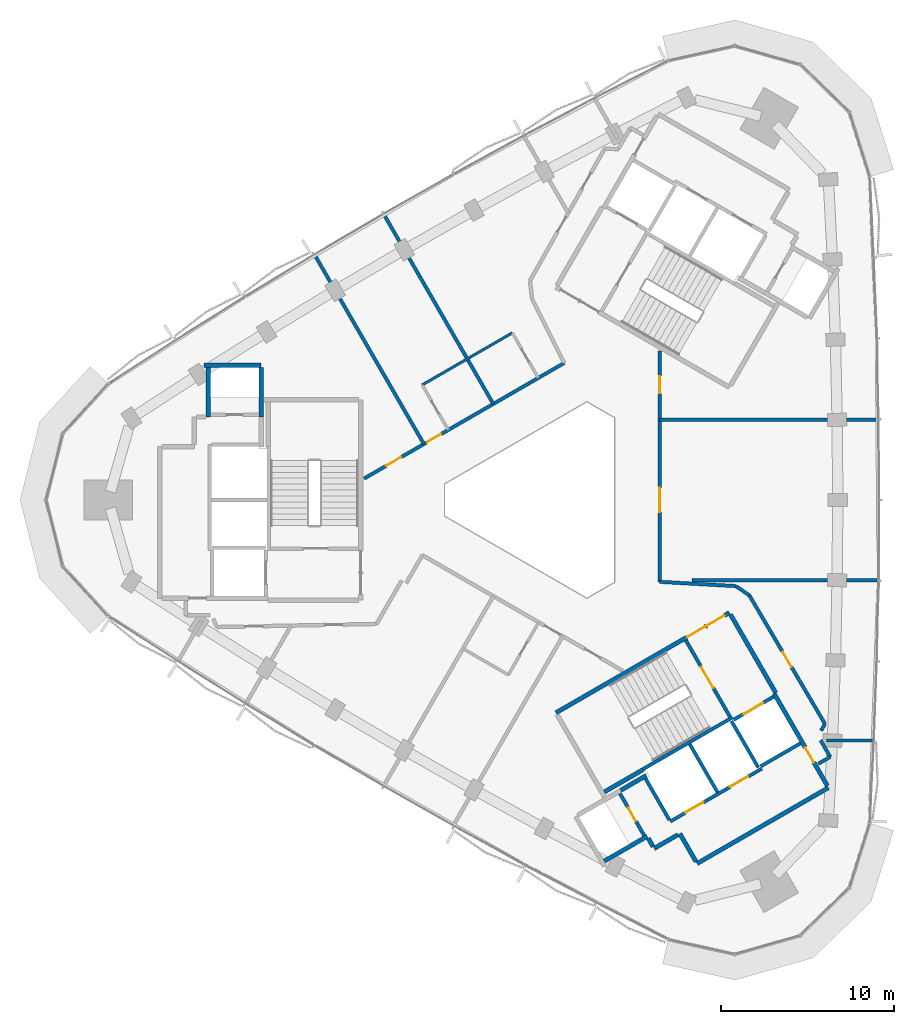
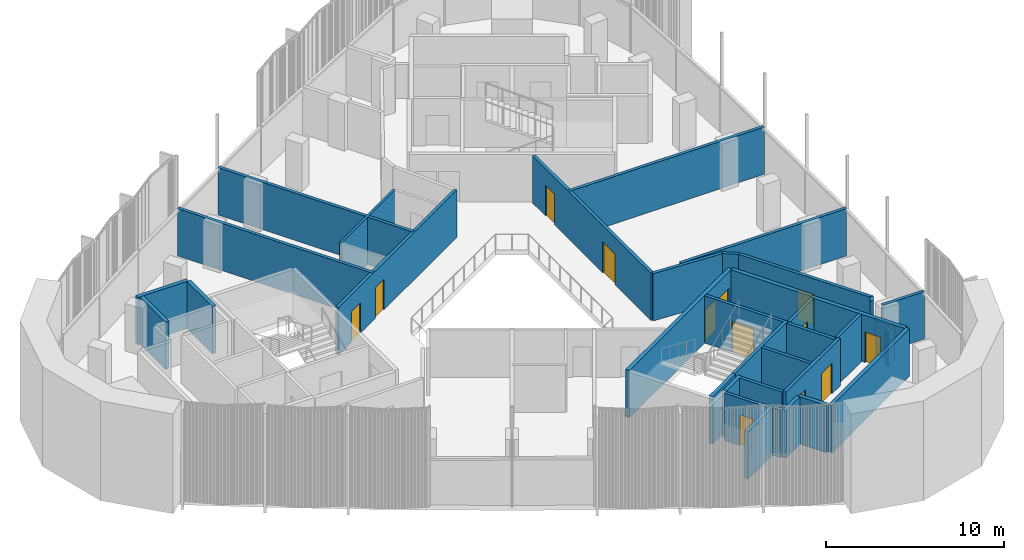
# One storey, part 9 of 16: 36 walls, 13 doors, 13 openings.
"""IFC4 building model written with IfcOpenShell, lengths in metres."""

from ifc_helpers import new_model, si_unit, direction, frame, frame_2d, origin, place, context, subcontext, project, spatial, rectangle, extrude, material, layer, layer_set, type_object, element, fill, save


model = new_model("IFC4")

# Units and contexts
model_context = context("Model", 3, precision=1e-05, world=origin(), true_north=direction((0.0, 1.0)))
body_context = subcontext(model_context, "Body", "Model", "MODEL_VIEW")
ifc_project = project(units=[si_unit("LENGTHUNIT", "METRE"), si_unit("AREAUNIT", "SQUARE_METRE"), si_unit("VOLUMEUNIT", "CUBIC_METRE"), si_unit("PLANEANGLEUNIT", "RADIAN"), si_unit("MASSUNIT", "GRAM", prefix="KILO")], contexts=[model_context])

# Site, building, storey
site_placement = place(None, origin())
site = spatial("IfcSite", under=ifc_project, at=site_placement, CompositionType="ELEMENT")
building_placement = place(site_placement, origin())
building = spatial("IfcBuilding", under=site, at=building_placement, Name="Tamra Quay Hotel Tower", CompositionType="ELEMENT")
storey_placement = place(building_placement, frame((0.0, 0.0, 243.0)))
storey = spatial("IfcBuildingStorey", under=building, at=storey_placement, Name="L61", CompositionType="ELEMENT", Elevation=243.0)

# Wall
ifc_material_1 = material(Name="Concrete M70", Category="concrete")
ifc_layer_1 = layer(ifc_material_1, 0.199951171875)
ifc_layer_set_1 = layer_set([ifc_layer_1], Name="Concrete M70 core wall 200")
wall_type_1 = type_object("IfcWallType", Name="Concrete M70 core wall 200", PredefinedType="SHEAR", material=ifc_layer_set_1)
wall_1_placement = place(storey_placement, frame((5.4189453125, -15.533935546875, 0.0), z_axis=(0.0, 0.0, 1.0), x_axis=(0.866029065029, 0.499993658486, 0.0)))
element("IfcWall", 1, at=wall_1_placement, inside=storey, type_object=wall_type_1, Name="CW2", PredefinedType="SHEAR", context=body_context, shape_type="SweptSolid", body=[
    extrude(rectangle(XDim=5.97412109375, YDim=0.199951171875, at=frame_2d((2.987060546875, 0.0))), origin(), (0.0, 0.0, 1.0), 3.25),
])

# Wall, openings, doors
wall_2_placement = place(storey_placement, frame((7.009765625, -18.54150390625, 0.0), z_axis=(0.0, 0.0, 1.0), x_axis=(0.866030299012, 0.499991521122, 0.0)))
wall_2 = element("IfcWall", 2, at=wall_2_placement, inside=storey, type_object=wall_type_1, Name="CW2", PredefinedType="SHEAR", context=body_context, shape_type="SweptSolid", body=[
    extrude(rectangle(XDim=6.10009765625, YDim=0.199951171875, at=frame_2d((3.050048828125, 0.0))), origin(), (0.0, 0.0, 1.0), 3.25),
])
opening_1_placement = place(wall_2_placement, frame((1.0, 0.0, 0.0)))
opening_1 = element("IfcOpeningElement", 3, at=opening_1_placement, cuts=wall_2, Name="Opening LD", PredefinedType="OPENING", context=body_context, shape_type="SweptSolid", body=[
    extrude(rectangle(XDim=1.199951171875, YDim=2.10009765625, at=frame_2d((0.60009765625, 1.050048828125))), frame((0.0, 0.10986328125, 0.0), z_axis=(0.0, -1.0, 0.0), x_axis=(1.0, 0.0, 0.0)), (0.0, 0.0, 1.0), 0.219970703125),
])
opening_2_placement = place(wall_2_placement, frame((3.982177734375, 0.0, 0.0)))
opening_2 = element("IfcOpeningElement", 4, at=opening_2_placement, cuts=wall_2, Name="Opening LD", PredefinedType="OPENING", context=body_context, shape_type="SweptSolid", body=[
    extrude(rectangle(XDim=1.199951171875, YDim=2.10009765625, at=frame_2d((0.60009765625, 1.050048828125))), frame((0.0, 0.10986328125, 0.0), z_axis=(0.0, -1.0, 0.0), x_axis=(1.0, 0.0, 0.0)), (0.0, 0.0, 1.0), 0.219970703125),
])
ifc_material_2 = material(Name="Landing door LD 1200 double door sliding")
door_type_1 = type_object("IfcDoorType", Name="Landing door LD 1200 double door sliding", OperationType="DOUBLE_DOOR_SLIDING", PredefinedType="DOOR", material=ifc_material_2)
door_1_placement = place(opening_1_placement, origin())
door_1 = element("IfcDoor", 5, at=door_1_placement, inside=storey, type_object=door_type_1, Name="LD", OperationType="DOUBLE_DOOR_SLIDING", OverallHeight=2.10009765625, OverallWidth=1.199951171875, PredefinedType="DOOR", context=body_context, shape_type="SweptSolid", body=[
    extrude(rectangle(XDim=1.199951171875, YDim=2.10009765625, at=frame_2d((0.60009765625, 1.050048828125))), frame((0.0, 0.02490234375, 0.0), z_axis=(0.0, -1.0, 0.0), x_axis=(1.0, 0.0, 0.0)), (0.0, 0.0, 1.0), 0.050048828125),
])
fill(opening_1, door_1)
door_2_placement = place(opening_2_placement, origin())
door_2 = element("IfcDoor", 6, at=door_2_placement, inside=storey, type_object=door_type_1, Name="LD", OperationType="DOUBLE_DOOR_SLIDING", OverallHeight=2.10009765625, OverallWidth=1.199951171875, PredefinedType="DOOR", context=body_context, shape_type="SweptSolid", body=[
    extrude(rectangle(XDim=1.199951171875, YDim=2.10009765625, at=frame_2d((0.60009765625, 1.050048828125))), frame((0.0, 0.02490234375, 0.0), z_axis=(0.0, -1.0, 0.0), x_axis=(1.0, 0.0, 0.0)), (0.0, 0.0, 1.0), 0.050048828125),
])
fill(opening_2, door_2)

# Wall, opening, door
wall_3_placement = place(storey_placement, frame((7.906494140625, -8.094482421875, 0.0), z_axis=(0.0, 0.0, 1.0), x_axis=(0.500027839223, -0.866009330205, 0.0)))
wall_3 = element("IfcWall", 7, at=wall_3_placement, inside=storey, type_object=wall_type_1, Name="CW2", PredefinedType="SHEAR", context=body_context, shape_type="SweptSolid", body=[
    extrude(rectangle(XDim=5.097900390625, YDim=0.199951171875, at=frame_2d((2.548828125, 0.0))), origin(), (0.0, 0.0, 1.0), 3.25),
])
opening_3_placement = place(wall_3_placement, frame((1.77392578125, 0.0, 0.0)))
opening_3 = element("IfcOpeningElement", 8, at=opening_3_placement, cuts=wall_3, Name="Opening FD2", PredefinedType="OPENING", context=body_context, shape_type="SweptSolid", body=[
    extrude(rectangle(XDim=1.39990234375, YDim=2.10009765625, at=frame_2d((0.699951171875, 1.050048828125))), frame((0.0, 0.10986328125, 0.0), z_axis=(0.0, -1.0, 0.0), x_axis=(1.0, 0.0, 0.0)), (0.0, 0.0, 1.0), 0.219970703125),
])
ifc_material_3 = material(Name="Core door FD2 1400x2100 LH")
door_type_2 = type_object("IfcDoorType", Name="Core door FD2 1400x2100 LH", OperationType="NOTDEFINED", PredefinedType="DOOR", material=ifc_material_3)
door_3_placement = place(opening_3_placement, origin())
door_3 = element("IfcDoor", 9, at=door_3_placement, inside=storey, type_object=door_type_2, Name="FD2", OperationType="SINGLE_SWING_LEFT", OverallHeight=2.10009765625, OverallWidth=1.39990234375, PredefinedType="DOOR", context=body_context, shape_type="SweptSolid", body=[
    extrude(rectangle(XDim=1.39990234375, YDim=2.10009765625, at=frame_2d((0.699951171875, 1.050048828125))), frame((0.0, 0.02490234375, 0.0), z_axis=(0.0, -1.0, 0.0), x_axis=(1.0, 0.0, 0.0)), (0.0, 0.0, 1.0), 0.050048828125),
])
fill(opening_3, door_3)

# Wall
wall_4_placement = place(storey_placement, frame((8.131591796875, -14.084228515625, 0.0), z_axis=(0.0, 0.0, 1.0), x_axis=(0.499997778408, -0.866026686418, 0.0)))
element("IfcWall", 10, at=wall_4_placement, inside=storey, type_object=wall_type_1, Name="CW2", PredefinedType="SHEAR", context=body_context, shape_type="SweptSolid", body=[
    extrude(rectangle(XDim=3.1982421875, YDim=0.199951171875, at=frame_2d((1.59912109375, 0.0))), origin(), (0.0, 0.0, 1.0), 3.25),
])

# Wall, opening, door
wall_5_placement = place(storey_placement, frame((5.50341796875, -19.352294921875, 0.0), z_axis=(0.0, 0.0, 1.0), x_axis=(-0.499986818241, 0.866033014143, 0.0)))
wall_5 = element("IfcWall", 11, at=wall_5_placement, inside=storey, type_object=wall_type_1, Name="CW2", PredefinedType="SHEAR", context=body_context, shape_type="SweptSolid", body=[
    extrude(rectangle(XDim=2.7978515625, YDim=0.199951171875, at=frame_2d((1.39892578125, 0.0))), origin(), (0.0, 0.0, 1.0), 3.25),
])
opening_4_placement = place(wall_5_placement, frame((0.948974609375, 0.0, 0.0)))
opening_4 = element("IfcOpeningElement", 12, at=opening_4_placement, cuts=wall_5, Name="Opening D1", PredefinedType="OPENING", context=body_context, shape_type="SweptSolid", body=[
    extrude(rectangle(XDim=0.89990234375, YDim=2.10009765625, at=frame_2d((0.449951171875, 1.050048828125))), frame((0.0, 0.10986328125, 0.0), z_axis=(0.0, -1.0, 0.0), x_axis=(1.0, 0.0, 0.0)), (0.0, 0.0, 1.0), 0.219970703125),
])
ifc_material_4 = material(Name="Core door D1 900x2100 RH")
door_type_3 = type_object("IfcDoorType", Name="Core door D1 900x2100 RH", OperationType="NOTDEFINED", PredefinedType="DOOR", material=ifc_material_4)
door_4_placement = place(opening_4_placement, origin())
door_4 = element("IfcDoor", 13, at=door_4_placement, inside=storey, type_object=door_type_3, Name="D1", OperationType="SINGLE_SWING_RIGHT", OverallHeight=2.10009765625, OverallWidth=0.89990234375, PredefinedType="DOOR", context=body_context, shape_type="SweptSolid", body=[
    extrude(rectangle(XDim=0.89990234375, YDim=2.10009765625, at=frame_2d((0.449951171875, 1.050048828125))), frame((0.0, 0.02490234375, 0.0), z_axis=(0.0, -1.0, 0.0), x_axis=(1.0, 0.0, 0.0)), (0.0, 0.0, 1.0), 0.050048828125),
])
fill(opening_4, door_4)

# Walls
wall_6_placement = place(storey_placement, frame((6.959716796875, -18.455078125, 0.0), z_axis=(0.0, 0.0, 1.0), x_axis=(-0.499926705758, 0.866067716099, 0.0)))
element("IfcWall", 14, at=wall_6_placement, inside=storey, type_object=wall_type_1, Name="CW2", PredefinedType="SHEAR", context=body_context, shape_type="SweptSolid", body=[
    extrude(rectangle(XDim=2.75927734375, YDim=0.199951171875, at=frame_2d((1.379638671875, 0.0))), origin(), (0.0, 0.0, 1.0), 3.25),
])
wall_7_placement = place(storey_placement, frame((12.087646484375, -15.4365234375, 0.0), z_axis=(0.0, 0.0, 1.0), x_axis=(-0.500026960575, 0.86600983753, 0.0)))
element("IfcWall", 15, at=wall_7_placement, inside=storey, type_object=wall_type_1, Name="CW2", PredefinedType="SHEAR", context=body_context, shape_type="SweptSolid", body=[
    extrude(rectangle(XDim=3.099853515625, YDim=0.199951171875, at=frame_2d((1.5498046875, 0.0))), origin(), (0.0, 0.0, 1.0), 3.25),
])

# Wall, opening, door
wall_8_placement = place(storey_placement, frame((10.666015625, -12.677734375, 0.0), z_axis=(0.0, 0.0, 1.0), x_axis=(0.866018407898, 0.500012117035, 0.0)))
wall_8 = element("IfcWall", 16, at=wall_8_placement, inside=storey, type_object=wall_type_1, Name="CW2", PredefinedType="SHEAR", context=body_context, shape_type="SweptSolid", body=[
    extrude(rectangle(XDim=2.65087890625, YDim=0.199951171875, at=frame_2d((1.325439453125, 0.0))), origin(), (0.0, 0.0, 1.0), 3.25),
])
opening_5_placement = place(wall_8_placement, frame((0.65185546875, 0.0, 0.0)))
opening_5 = element("IfcOpeningElement", 17, at=opening_5_placement, cuts=wall_8, Name="Opening LD", PredefinedType="OPENING", context=body_context, shape_type="SweptSolid", body=[
    extrude(rectangle(XDim=1.300048828125, YDim=2.10009765625, at=frame_2d((0.64990234375, 1.050048828125))), frame((0.0, 0.10986328125, 0.0), z_axis=(0.0, -1.0, 0.0), x_axis=(1.0, 0.0, 0.0)), (0.0, 0.0, 1.0), 0.219970703125),
])
ifc_material_5 = material(Name="Landing door LD 1300 sliding to left")
door_type_4 = type_object("IfcDoorType", Name="Landing door LD 1300 sliding to left", OperationType="NOTDEFINED", PredefinedType="DOOR", material=ifc_material_5)
door_5_placement = place(opening_5_placement, origin())
door_5 = element("IfcDoor", 18, at=door_5_placement, inside=storey, type_object=door_type_4, Name="LD", OperationType="SLIDING_TO_LEFT", OverallHeight=2.10009765625, OverallWidth=1.300048828125, PredefinedType="DOOR", context=body_context, shape_type="SweptSolid", body=[
    extrude(rectangle(XDim=1.300048828125, YDim=2.10009765625, at=frame_2d((0.64990234375, 1.050048828125))), frame((0.0, 0.02490234375, 0.0), z_axis=(0.0, -1.0, 0.0), x_axis=(1.0, 0.0, 0.0)), (0.0, 0.0, 1.0), 0.050048828125),
])
fill(opening_5, door_5)

# Walls
wall_9_placement = place(storey_placement, frame((14.51171875, -14.037109375, 0.0), z_axis=(0.0, 0.0, 1.0), x_axis=(-0.866018407898, -0.500012117035, 0.0)))
element("IfcWall", 19, at=wall_9_placement, inside=storey, type_object=wall_type_1, Name="CW2", PredefinedType="SHEAR", context=body_context, shape_type="SweptSolid", body=[
    extrude(rectangle(XDim=2.65087890625, YDim=0.199951171875, at=frame_2d((1.325439453125, 0.0))), origin(), (0.0, 0.0, 1.0), 3.25),
])
ifc_layer_2 = layer(ifc_material_1, 0.25)
ifc_layer_set_2 = layer_set([ifc_layer_2], Name="Concrete M70 core wall 250")
wall_type_2 = type_object("IfcWallType", Name="Concrete M70 core wall 250", PredefinedType="SHEAR", material=ifc_layer_set_2)
wall_10_placement = place(storey_placement, frame((-19.900390625, 7.77490234375, 0.0), z_axis=(0.0, 0.0, 1.0), x_axis=(1.0, 0.0, 0.0)))
element("IfcWall", 20, at=wall_10_placement, inside=storey, type_object=wall_type_2, Name="CW1", PredefinedType="SHEAR", context=body_context, shape_type="SweptSolid", body=[
    extrude(rectangle(XDim=3.31298828125, YDim=0.25, at=frame_2d((1.656494140625, 0.0))), origin(), (0.0, 0.0, 1.0), 3.25),
])
for number, where, z_axis, x_axis, name in (
    (21, (-16.58740234375, 7.649658203125, 0.0), (0.0, 0.0, 1.0), (0.0, -1.0, 0.0), "CW1"),
    (22, (-19.63720703125, 4.784912109375, 0.0), (0.0, 0.0, 1.0), (0.0, 1.0, 0.0), "CW1"),
):
    element("IfcWall", number, at=place(storey_placement, frame(where, z_axis=z_axis, x_axis=x_axis)), inside=storey, type_object=wall_type_2, Name=name, PredefinedType="SHEAR", context=body_context, shape_type="SweptSolid", body=[
        extrude(rectangle(XDim=2.86474609375, YDim=0.25, at=frame_2d((1.432373046875, 0.0))), origin(), (0.0, 0.0, 1.0), 3.25),
    ])

# Wall, openings, doors
wall_11_placement = place(storey_placement, frame((0.417236328125, -12.27294921875, 0.0), z_axis=(0.0, 0.0, 1.0), x_axis=(0.866021906294, 0.500006057782, 0.0)))
wall_11 = element("IfcWall", 23, at=wall_11_placement, inside=storey, type_object=wall_type_2, Name="CW1", PredefinedType="SHEAR", context=body_context, shape_type="SweptSolid", body=[
    extrude(rectangle(XDim=11.550048828125, YDim=0.25, at=frame_2d((5.77490234375, 0.0))), origin(), (0.0, 0.0, 1.0), 3.25),
])
opening_6_placement = place(wall_11_placement, frame((10.024658203125, 0.0, 0.0)))
opening_6 = element("IfcOpeningElement", 24, at=opening_6_placement, cuts=wall_11, Name="Opening FD1", PredefinedType="OPENING", context=body_context, shape_type="SweptSolid", body=[
    extrude(rectangle(XDim=1.199951171875, YDim=2.10009765625, at=frame_2d((0.60009765625, 1.050048828125))), frame((0.0, 0.135009765625, 0.0), z_axis=(0.0, -1.0, 0.0), x_axis=(1.0, 0.0, 0.0)), (0.0, 0.0, 1.0), 0.27001953125),
])
opening_7_placement = place(wall_11_placement, frame((8.724609375, 0.0, 0.0)))
opening_7 = element("IfcOpeningElement", 25, at=opening_7_placement, cuts=wall_11, Name="Opening FD1", PredefinedType="OPENING", context=body_context, shape_type="SweptSolid", body=[
    extrude(rectangle(XDim=1.199951171875, YDim=2.10009765625, at=frame_2d((0.60009765625, 1.050048828125))), frame((0.0, 0.135009765625, 0.0), z_axis=(0.0, -1.0, 0.0), x_axis=(1.0, 0.0, 0.0)), (0.0, 0.0, 1.0), 0.27001953125),
])
ifc_material_6 = material(Name="Core door FD1 1200x2100 LH")
door_type_5 = type_object("IfcDoorType", Name="Core door FD1 1200x2100 LH", OperationType="NOTDEFINED", PredefinedType="DOOR", material=ifc_material_6)
door_6_placement = place(opening_6_placement, origin())
door_6 = element("IfcDoor", 26, at=door_6_placement, inside=storey, type_object=door_type_5, Name="FD1", OperationType="SINGLE_SWING_LEFT", OverallHeight=2.10009765625, OverallWidth=1.199951171875, PredefinedType="DOOR", context=body_context, shape_type="SweptSolid", body=[
    extrude(rectangle(XDim=1.199951171875, YDim=2.10009765625, at=frame_2d((0.60009765625, 1.050048828125))), frame((0.0, 0.02490234375, 0.0), z_axis=(0.0, -1.0, 0.0), x_axis=(1.0, 0.0, 0.0)), (0.0, 0.0, 1.0), 0.050048828125),
])
fill(opening_6, door_6)
ifc_material_7 = material(Name="Core door FD1 1200x2100 RH")
door_type_6 = type_object("IfcDoorType", Name="Core door FD1 1200x2100 RH", OperationType="NOTDEFINED", PredefinedType="DOOR", material=ifc_material_7)
door_7_placement = place(opening_7_placement, origin())
door_7 = element("IfcDoor", 27, at=door_7_placement, inside=storey, type_object=door_type_6, Name="FD1", OperationType="SINGLE_SWING_RIGHT", OverallHeight=2.10009765625, OverallWidth=1.199951171875, PredefinedType="DOOR", context=body_context, shape_type="SweptSolid", body=[
    extrude(rectangle(XDim=1.199951171875, YDim=2.10009765625, at=frame_2d((0.60009765625, 1.050048828125))), frame((0.0, 0.02490234375, 0.0), z_axis=(0.0, -1.0, 0.0), x_axis=(1.0, 0.0, 0.0)), (0.0, 0.0, 1.0), 0.050048828125),
])
fill(opening_7, door_7)

# Wall
wall_12_placement = place(storey_placement, frame((16.13330078125, -16.59375, 0.0), z_axis=(0.0, 0.0, 1.0), x_axis=(-0.866022959057, -0.500004234368, 0.0)))
element("IfcWall", 28, at=wall_12_placement, inside=storey, type_object=wall_type_2, Name="CW1", PredefinedType="SHEAR", context=body_context, shape_type="SweptSolid", body=[
    extrude(rectangle(XDim=8.75, YDim=0.25, at=frame_2d((4.375, 0.0))), origin(), (0.0, 0.0, 1.0), 3.25),
])

# Wall, opening, door
wall_13_placement = place(storey_placement, frame((13.00830078125, -11.18115234375, 0.0), z_axis=(0.0, 0.0, 1.0), x_axis=(0.500001955336, -0.866024274868, 0.0)))
wall_13 = element("IfcWall", 29, at=wall_13_placement, inside=storey, type_object=wall_type_2, Name="CW1", PredefinedType="SHEAR", context=body_context, shape_type="SweptSolid", body=[
    extrude(rectangle(XDim=6.12451171875, YDim=0.25, at=frame_2d((3.062255859375, 0.0))), origin(), (0.0, 0.0, 1.0), 3.25),
])
opening_8_placement = place(wall_13_placement, frame((3.562744140625, 0.0, 0.0)))
opening_8 = element("IfcOpeningElement", 30, at=opening_8_placement, cuts=wall_13, Name="Opening FD3", PredefinedType="OPENING", context=body_context, shape_type="SweptSolid", body=[
    extrude(rectangle(XDim=1.0, YDim=2.10009765625, at=frame_2d((0.5, 1.050048828125))), frame((0.0, 0.135009765625, 0.0), z_axis=(0.0, -1.0, 0.0), x_axis=(1.0, 0.0, 0.0)), (0.0, 0.0, 1.0), 0.27001953125),
])
ifc_material_8 = material(Name="Core door FD3 1000x2100 LH")
door_type_7 = type_object("IfcDoorType", Name="Core door FD3 1000x2100 LH", OperationType="NOTDEFINED", PredefinedType="DOOR", material=ifc_material_8)
door_8_placement = place(opening_8_placement, origin())
door_8 = element("IfcDoor", 31, at=door_8_placement, inside=storey, type_object=door_type_7, Name="FD3", OperationType="SINGLE_SWING_LEFT", OverallHeight=2.10009765625, OverallWidth=1.0, PredefinedType="DOOR", context=body_context, shape_type="SweptSolid", body=[
    extrude(rectangle(XDim=1.0, YDim=2.10009765625, at=frame_2d((0.5, 1.050048828125))), frame((0.0, 0.02490234375, 0.0), z_axis=(0.0, -1.0, 0.0), x_axis=(1.0, 0.0, 0.0)), (0.0, 0.0, 1.0), 0.050048828125),
])
fill(opening_8, door_8)

# Walls
wall_14_placement = place(storey_placement, frame((10.482666015625, -6.6064453125, 0.0), z_axis=(0.0, 0.0, 1.0), x_axis=(0.49999885962, -0.866026062182, 0.0)))
element("IfcWall", 32, at=wall_14_placement, inside=storey, type_object=wall_type_2, Name="CW1", PredefinedType="SHEAR", context=body_context, shape_type="SweptSolid", body=[
    extrude(rectangle(XDim=5.224609375, YDim=0.25, at=frame_2d((2.6123046875, 0.0))), origin(), (0.0, 0.0, 1.0), 3.25),
])
wall_15_placement = place(storey_placement, frame((5.6748046875, -19.39892578125, 0.0), z_axis=(0.0, 0.0, 1.0), x_axis=(-0.866026637627, -0.499997862916, 0.0)))
element("IfcWall", 33, at=wall_15_placement, inside=storey, type_object=wall_type_2, Name="CW1", PredefinedType="SHEAR", context=body_context, shape_type="SweptSolid", body=[
    extrude(rectangle(XDim=2.86474609375, YDim=0.25, at=frame_2d((1.432373046875, 0.0))), origin(), (0.0, 0.0, 1.0), 3.25),
])
wall_16_placement = place(storey_placement, frame((5.4306640625, -15.55615234375, 0.0), z_axis=(0.0, 0.0, 1.0), x_axis=(-0.866022940537, -0.500004266446, 0.0)))
element("IfcWall", 34, at=wall_16_placement, inside=storey, type_object=wall_type_2, Name="CW1", PredefinedType="SHEAR", context=body_context, shape_type="SweptSolid", body=[
    extrude(rectangle(XDim=2.57470703125, YDim=0.25, at=frame_2d((1.287353515625, 0.0))), origin(), (0.0, 0.0, 1.0), 3.25),
])
wall_17_placement = place(storey_placement, frame((8.492919921875, -20.860107421875, 0.0), z_axis=(0.0, 0.0, 1.0), x_axis=(-0.500039802285, 0.866002422705, 0.0)))
element("IfcWall", 35, at=wall_17_placement, inside=storey, type_object=wall_type_2, Name="CW1", PredefinedType="SHEAR", context=body_context, shape_type="SweptSolid", body=[
    extrude(rectangle(XDim=1.864501953125, YDim=0.25, at=frame_2d((0.93212890625, 0.0))), origin(), (0.0, 0.0, 1.0), 3.25),
])
wall_18_placement = place(storey_placement, frame((4.144775390625, -16.748779296875, 0.0), z_axis=(0.0, 0.0, 1.0), x_axis=(0.866038183914, 0.499977863513, 0.0)))
element("IfcWall", 36, at=wall_18_placement, inside=storey, type_object=wall_type_2, Name="CW1", PredefinedType="SHEAR", context=body_context, shape_type="SweptSolid", body=[
    extrude(rectangle(XDim=1.7099609375, YDim=0.25, at=frame_2d((0.85498046875, 0.0))), origin(), (0.0, 0.0, 1.0), 3.25),
])
wall_19_placement = place(storey_placement, frame((7.451904296875, -19.30810546875, 0.0), z_axis=(0.0, 0.0, 1.0), x_axis=(-0.866044474677, -0.49996696679, 0.0)))
element("IfcWall", 37, at=wall_19_placement, inside=storey, type_object=wall_type_2, Name="CW1", PredefinedType="SHEAR", context=body_context, shape_type="SweptSolid", body=[
    extrude(rectangle(XDim=1.58447265625, YDim=0.25, at=frame_2d((0.792236328125, 0.0))), origin(), (0.0, 0.0, 1.0), 3.25),
])
wall_20_placement = place(storey_placement, frame((6.01708984375, -19.99169921875, 0.0), z_axis=(0.0, 0.0, 1.0), x_axis=(-0.500364886717, 0.865814633822, 0.0)))
element("IfcWall", 38, at=wall_20_placement, inside=storey, type_object=wall_type_2, Name="CW1", PredefinedType="SHEAR", context=body_context, shape_type="SweptSolid", body=[
    extrude(rectangle(XDim=0.55908203125, YDim=0.25, at=frame_2d((0.279541015625, 0.0))), origin(), (0.0, 0.0, 1.0), 3.25),
])

# Wall, openings, doors
ifc_material_9 = material(Name="Partition corridor wall")
ifc_layer_3 = layer(ifc_material_9, 0.199951171875)
ifc_layer_set_3 = layer_set([ifc_layer_3], Name="Partition corridor wall")
wall_type_3 = type_object("IfcWallType", Name="Partition corridor wall", PredefinedType="PARTITIONING", material=ifc_layer_set_3)
wall_21_placement = place(storey_placement, frame((-10.65234375, 1.236572265625, 0.0), z_axis=(0.0, 0.0, 1.0), x_axis=(0.865922902183, 0.50017749597, 0.0)))
wall_21 = element("IfcWall", 39, at=wall_21_placement, inside=storey, type_object=wall_type_3, Name="W-C", PredefinedType="PARTITIONING", context=body_context, shape_type="SweptSolid", body=[
    extrude(rectangle(XDim=13.328369140625, YDim=0.199951171875, at=frame_2d((6.6640625, 0.0))), origin(), (0.0, 0.0, 1.0), 3.25),
])
opening_9_placement = place(wall_21_placement, frame((4.1708984375, 0.0, 0.0)))
opening_9 = element("IfcOpeningElement", 40, at=opening_9_placement, cuts=wall_21, Name="Opening L61-D004", PredefinedType="OPENING", context=body_context, shape_type="SweptSolid", body=[
    extrude(rectangle(XDim=0.949951171875, YDim=2.10009765625, at=frame_2d((0.47509765625, 1.050048828125))), frame((0.0, 0.10986328125, 0.0), z_axis=(0.0, -1.0, 0.0), x_axis=(1.0, 0.0, 0.0)), (0.0, 0.0, 1.0), 0.219970703125),
])
opening_10_placement = place(wall_21_placement, frame((1.46337890625, 0.0, 0.0)))
opening_10 = element("IfcOpeningElement", 41, at=opening_10_placement, cuts=wall_21, Name="Opening L61-D006", PredefinedType="OPENING", context=body_context, shape_type="SweptSolid", body=[
    extrude(rectangle(XDim=1.0, YDim=2.10009765625, at=frame_2d((0.5, 1.050048828125))), frame((0.0, 0.10986328125, 0.0), z_axis=(0.0, -1.0, 0.0), x_axis=(1.0, 0.0, 0.0)), (0.0, 0.0, 1.0), 0.219970703125),
])
ifc_material_10 = material(Name="Door guest room 1000x2100")
door_type_8 = type_object("IfcDoorType", Name="Door guest room 1000x2100", OperationType="NOTDEFINED", PredefinedType="DOOR", material=ifc_material_10)
door_9_placement = place(opening_10_placement, origin())
door_9 = element("IfcDoor", 42, at=door_9_placement, inside=storey, type_object=door_type_8, Name="L61-D006", OperationType="SINGLE_SWING_LEFT", OverallHeight=2.10009765625, OverallWidth=1.0, PredefinedType="DOOR", context=body_context, shape_type="SweptSolid", body=[
    extrude(rectangle(XDim=1.0, YDim=2.10009765625, at=frame_2d((0.5, 1.050048828125))), frame((0.0, 0.02490234375, 0.0), z_axis=(0.0, -1.0, 0.0), x_axis=(1.0, 0.0, 0.0)), (0.0, 0.0, 1.0), 0.050048828125),
])
fill(opening_10, door_9)
ifc_material_11 = material(Name="Door guest room 950x2100")
door_type_9 = type_object("IfcDoorType", Name="Door guest room 950x2100", OperationType="NOTDEFINED", PredefinedType="DOOR", material=ifc_material_11)
door_10_placement = place(opening_9_placement, origin())
door_10 = element("IfcDoor", 43, at=door_10_placement, inside=storey, type_object=door_type_9, Name="L61-D004", OperationType="SINGLE_SWING_LEFT", OverallHeight=2.10009765625, OverallWidth=0.949951171875, PredefinedType="DOOR", context=body_context, shape_type="SweptSolid", body=[
    extrude(rectangle(XDim=0.949951171875, YDim=2.10009765625, at=frame_2d((0.47509765625, 1.050048828125))), frame((0.0, 0.02490234375, 0.0), z_axis=(0.0, -1.0, 0.0), x_axis=(1.0, 0.0, 0.0)), (0.0, 0.0, 1.0), 0.050048828125),
])
fill(opening_9, door_10)

wall_22_placement = place(storey_placement, frame((6.39990234375, -4.720947265625, 0.0), z_axis=(0.0, 0.0, 1.0), x_axis=(0.0, 1.0, 0.0)))
wall_22 = element("IfcWall", 44, at=wall_22_placement, inside=storey, type_object=wall_type_3, Name="W-C", PredefinedType="PARTITIONING", context=body_context, shape_type="SweptSolid", body=[
    extrude(rectangle(XDim=13.326171875, YDim=0.199951171875, at=frame_2d((6.6630859375, 0.0))), origin(), (0.0, 0.0, 1.0), 3.25),
])
opening_11_placement = place(wall_22_placement, frame((4.02099609375, 0.0, 0.0)))
opening_11 = element("IfcOpeningElement", 45, at=opening_11_placement, cuts=wall_22, Name="Opening L61-D013", PredefinedType="OPENING", context=body_context, shape_type="SweptSolid", body=[
    extrude(rectangle(XDim=1.39990234375, YDim=2.10009765625, at=frame_2d((0.699951171875, 1.050048828125))), frame((0.0, 0.10986328125, 0.0), z_axis=(0.0, -1.0, 0.0), x_axis=(1.0, 0.0, 0.0)), (0.0, 0.0, 1.0), 0.219970703125),
])
opening_12_placement = place(wall_22_placement, frame((10.864501953125, 0.0, 0.0)))
opening_12 = element("IfcOpeningElement", 46, at=opening_12_placement, cuts=wall_22, Name="Opening L61-D014", PredefinedType="OPENING", context=body_context, shape_type="SweptSolid", body=[
    extrude(rectangle(XDim=1.0, YDim=2.10009765625, at=frame_2d((0.5, 1.050048828125))), frame((0.0, 0.10986328125, 0.0), z_axis=(0.0, -1.0, 0.0), x_axis=(1.0, 0.0, 0.0)), (0.0, 0.0, 1.0), 0.219970703125),
])
ifc_material_12 = material(Name="Door double leaf 1400x2100")
door_type_10 = type_object("IfcDoorType", Name="Door double leaf 1400x2100", OperationType="DOUBLE_DOOR_SINGLE_SWING", PredefinedType="DOOR", material=ifc_material_12)
door_11_placement = place(opening_11_placement, frame((1.39990234375, 0.0, 0.0), z_axis=(0.0, 0.0, 1.0), x_axis=(-1.0, 0.0, 0.0)))
door_11 = element("IfcDoor", 47, at=door_11_placement, inside=storey, type_object=door_type_10, Name="L61-D013", OperationType="DOUBLE_DOOR_SINGLE_SWING", OverallHeight=2.10009765625, OverallWidth=1.39990234375, PredefinedType="DOOR", context=body_context, shape_type="SweptSolid", body=[
    extrude(rectangle(XDim=1.39990234375, YDim=2.10009765625, at=frame_2d((0.699951171875, 1.050048828125))), frame((0.0, 0.02490234375, 0.0), z_axis=(0.0, -1.0, 0.0), x_axis=(1.0, 0.0, 0.0)), (0.0, 0.0, 1.0), 0.050048828125),
])
fill(opening_11, door_11)
door_12_placement = place(opening_12_placement, frame((1.0, 0.0, 0.0), z_axis=(0.0, 0.0, 1.0), x_axis=(-1.0, 0.0, 0.0)))
door_12 = element("IfcDoor", 48, at=door_12_placement, inside=storey, type_object=door_type_8, Name="L61-D014", OperationType="SINGLE_SWING_LEFT", OverallHeight=2.10009765625, OverallWidth=1.0, PredefinedType="DOOR", context=body_context, shape_type="SweptSolid", body=[
    extrude(rectangle(XDim=1.0, YDim=2.10009765625, at=frame_2d((0.5, 1.050048828125))), frame((0.0, 0.02490234375, 0.0), z_axis=(0.0, -1.0, 0.0), x_axis=(1.0, 0.0, 0.0)), (0.0, 0.0, 1.0), 0.050048828125),
])
fill(opening_12, door_12)

# Walls
wall_23_placement = place(storey_placement, frame((6.39990234375, -4.720947265625, 0.0), z_axis=(0.0, 0.0, 1.0), x_axis=(0.998447007366, -0.055709725208, 0.0)))
element("IfcWall", 49, at=wall_23_placement, inside=storey, type_object=wall_type_3, Name="W-C", PredefinedType="PARTITIONING", context=body_context, shape_type="SweptSolid", body=[
    extrude(rectangle(XDim=4.39990234375, YDim=0.199951171875, at=frame_2d((2.199951171875, 0.0))), origin(), (0.0, 0.0, 1.0), 3.25),
])
wall_24_placement = place(storey_placement, frame((10.7939453125, -4.966064453125, 0.0), z_axis=(0.0, 0.0, 1.0), x_axis=(0.822266583859, -0.569102508401, 0.0)))
element("IfcWall", 50, at=wall_24_placement, inside=storey, type_object=wall_type_3, Name="W-C", PredefinedType="PARTITIONING", context=body_context, shape_type="SweptSolid", body=[
    extrude(rectangle(XDim=0.945068359375, YDim=0.199951171875, at=frame_2d((0.47265625, 0.0))), origin(), (0.0, 0.0, 1.0), 3.25),
])

# Wall, opening, door
wall_25_placement = place(storey_placement, frame((11.571044921875, -5.5048828125, 0.0), z_axis=(0.0, 0.0, 1.0), x_axis=(0.507291838928, -0.861774326699, 0.0)))
wall_25 = element("IfcWall", 51, at=wall_25_placement, inside=storey, type_object=wall_type_3, Name="W-C", PredefinedType="PARTITIONING", context=body_context, shape_type="SweptSolid", body=[
    extrude(rectangle(XDim=8.5986328125, YDim=0.199951171875, at=frame_2d((4.29931640625, 0.0))), origin(), (0.0, 0.0, 1.0), 3.25),
])
opening_13_placement = place(wall_25_placement, frame((3.79931640625, 0.0, 0.0)))
opening_13 = element("IfcOpeningElement", 52, at=opening_13_placement, cuts=wall_25, Name="Opening L61-D012", PredefinedType="OPENING", context=body_context, shape_type="SweptSolid", body=[
    extrude(rectangle(XDim=1.0, YDim=2.10009765625, at=frame_2d((0.5, 1.050048828125))), frame((0.0, 0.10986328125, 0.0), z_axis=(0.0, -1.0, 0.0), x_axis=(1.0, 0.0, 0.0)), (0.0, 0.0, 1.0), 0.219970703125),
])
door_13_placement = place(opening_13_placement, origin())
door_13 = element("IfcDoor", 53, at=door_13_placement, inside=storey, type_object=door_type_8, Name="L61-D012", OperationType="SINGLE_SWING_LEFT", OverallHeight=2.10009765625, OverallWidth=1.0, PredefinedType="DOOR", context=body_context, shape_type="SweptSolid", body=[
    extrude(rectangle(XDim=1.0, YDim=2.10009765625, at=frame_2d((0.5, 1.050048828125))), frame((0.0, 0.02490234375, 0.0), z_axis=(0.0, -1.0, 0.0), x_axis=(1.0, 0.0, 0.0)), (0.0, 0.0, 1.0), 0.050048828125),
])
fill(opening_13, door_13)

# Walls
wall_26_placement = place(storey_placement, frame((15.5498046875, -15.213134765625, 0.0), z_axis=(0.0, 0.0, 1.0), x_axis=(0.865989998118, 0.500061319399, 0.0)))
element("IfcWall", 54, at=wall_26_placement, inside=storey, type_object=wall_type_3, Name="W-C", PredefinedType="PARTITIONING", context=body_context, shape_type="SweptSolid", body=[
    extrude(rectangle(XDim=0.7900390625, YDim=0.199951171875, at=frame_2d((0.39501953125, 0.0))), origin(), (0.0, 0.0, 1.0), 2.35009765625),
])
wall_27_placement = place(storey_placement, frame((15.93310546875, -12.9150390625, 0.0), z_axis=(0.0, 0.0, 1.0), x_axis=(-0.502017930819, -0.864857211993, 0.0)))
element("IfcWall", 55, at=wall_27_placement, inside=storey, type_object=wall_type_3, Name="W-C", PredefinedType="PARTITIONING", context=body_context, shape_type="SweptSolid", body=[
    extrude(rectangle(XDim=0.450927734375, YDim=0.199951171875, at=frame_2d((0.2255859375, 0.0))), origin(), (0.0, 0.0, 1.0), 3.25),
])
wall_28_placement = place(storey_placement, frame((15.681884765625, -13.861083984375, 0.0), z_axis=(0.0, 0.0, 1.0), x_axis=(0.499633176362, -0.866237085952, 0.0)))
element("IfcWall", 56, at=wall_28_placement, inside=storey, type_object=wall_type_3, Name="W-C", PredefinedType="PARTITIONING", context=body_context, shape_type="SweptSolid", body=[
    extrude(rectangle(XDim=1.104736328125, YDim=0.199951171875, at=frame_2d((0.55224609375, 0.0))), origin(), (0.0, 0.0, 1.0), 2.35009765625),
])
ifc_material_13 = material(Name="Partition en-suite wall")
ifc_layer_4 = layer(ifc_material_13, 0.14990234375)
ifc_layer_set_4 = layer_set([ifc_layer_4], Name="Partition en-suite wall")
wall_type_4 = type_object("IfcWallType", Name="Partition en-suite wall", PredefinedType="PARTITIONING", material=ifc_layer_set_4)
wall_29_placement = place(storey_placement, frame((-7.2978515625, 6.640869140625, 0.0), z_axis=(0.0, 0.0, 1.0), x_axis=(0.865999837459, 0.50004427956, 0.0)))
element("IfcWall", 57, at=wall_29_placement, inside=storey, type_object=wall_type_4, Name="W-E", PredefinedType="PARTITIONING", context=body_context, shape_type="SweptSolid", body=[
    extrude(rectangle(XDim=5.99755859375, YDim=0.14990234375, at=frame_2d((2.998779296875, 0.0))), origin(), (0.0, 0.0, 1.0), 3.25),
])
ifc_material_14 = material(Name="Partition party wall")
ifc_layer_5 = layer(ifc_material_14, 0.199951171875)
ifc_layer_set_5 = layer_set([ifc_layer_5], Name="Partition party wall")
wall_type_5 = type_object("IfcWallType", Name="Partition party wall", PredefinedType="PARTITIONING", material=ifc_layer_set_5)
wall_30_placement = place(storey_placement, frame((-13.513427734375, 14.156005859375, 0.0), z_axis=(0.0, 0.0, 1.0), x_axis=(0.500012240511, -0.866018336607, 0.0)))
element("IfcWall", 58, at=wall_30_placement, inside=storey, type_object=wall_type_5, Name="W-P", PredefinedType="PARTITIONING", context=body_context, shape_type="SweptSolid", body=[
    extrude(rectangle(XDim=12.616455078125, YDim=0.199951171875, at=frame_2d((6.30810546875, 0.0))), origin(), (0.0, 0.0, 1.0), 3.25),
])
wall_31_placement = place(storey_placement, frame((-9.525390625, 16.497802734375, 0.0), z_axis=(0.0, 0.0, 1.0), x_axis=(0.499979175972, -0.866037426209, 0.0)))
element("IfcWall", 59, at=wall_31_placement, inside=storey, type_object=wall_type_5, Name="W-P", PredefinedType="PARTITIONING", context=body_context, shape_type="SweptSolid", body=[
    extrude(rectangle(XDim=12.64990234375, YDim=0.199951171875, at=frame_2d((6.324951171875, 0.0))), origin(), (0.0, 0.0, 1.0), 3.25),
])
wall_32_placement = place(storey_placement, frame((6.39990234375, 4.625, 0.0), z_axis=(0.0, 0.0, 1.0), x_axis=(1.0, 0.0, 0.0)))
element("IfcWall", 60, at=wall_32_placement, inside=storey, type_object=wall_type_5, Name="W-P", PredefinedType="PARTITIONING", context=body_context, shape_type="SweptSolid", body=[
    extrude(rectangle(XDim=12.6162109375, YDim=0.199951171875, at=frame_2d((6.30810546875, 0.0))), origin(), (0.0, 0.0, 1.0), 3.25),
])
wall_33_placement = place(storey_placement, frame((8.270263671875, -4.625, 0.0), z_axis=(0.0, 0.0, 1.0), x_axis=(1.0, 0.0, 0.0)))
element("IfcWall", 61, at=wall_33_placement, inside=storey, type_object=wall_type_5, Name="W-P", PredefinedType="PARTITIONING", context=body_context, shape_type="SweptSolid", body=[
    extrude(rectangle(XDim=10.745849609375, YDim=0.199951171875, at=frame_2d((5.373046875, 0.0))), origin(), (0.0, 0.0, 1.0), 3.25),
])
wall_34_placement = place(storey_placement, frame((18.74560546875, -13.8720703125, 0.0), z_axis=(0.0, 0.0, 1.0), x_axis=(-1.0, 0.0, 0.0)))
element("IfcWall", 62, at=wall_34_placement, inside=storey, type_object=wall_type_5, Name="W-P", PredefinedType="PARTITIONING", context=body_context, shape_type="SweptSolid", body=[
    extrude(rectangle(XDim=2.71142578125, YDim=0.199951171875, at=frame_2d((1.355712890625, 0.0))), origin(), (0.0, 0.0, 1.0), 3.25),
])

save(model, "model.ifc")
